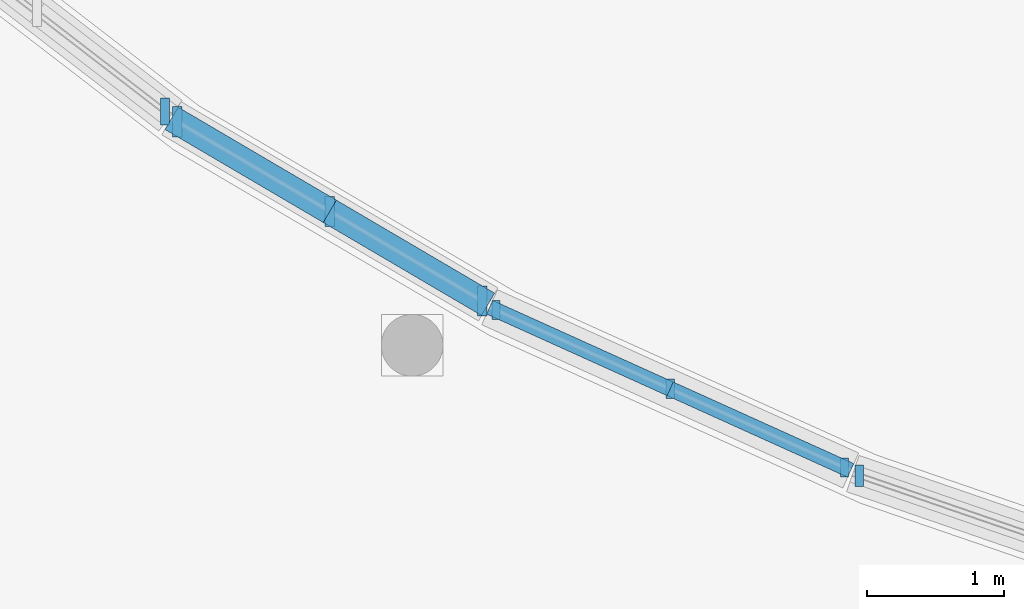
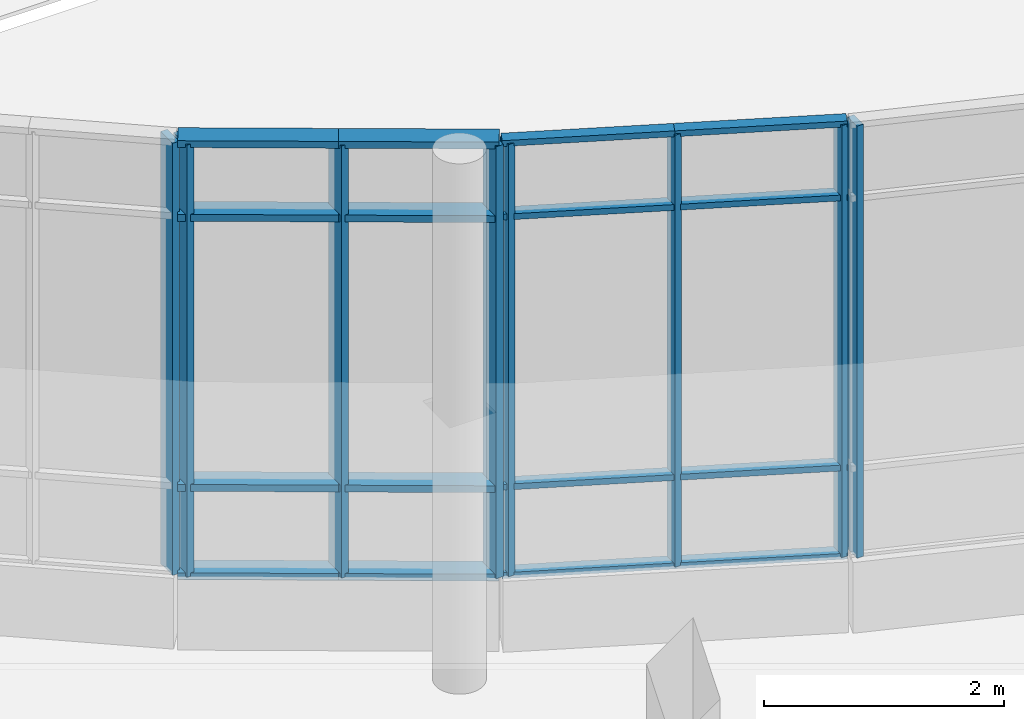
# One storey, part 11 of 84: 24 members, 4 elements without a shape of their own.
"""IFC4 building model written with IfcOpenShell, lengths in metres."""

from ifc_helpers import new_model, si_unit, direction, frame, origin, origin_2d, place, context, subcontext, project, spatial, rectangle, extrude, material, material_profile, profile_set, type_object, element, aggregate, save


model = new_model("IFC4")

# Units and contexts
model_context = context("Model", 3, precision=1e-05, world=origin(), true_north=direction((0.0, 1.0)))
body_context = subcontext(model_context, "Body", "Model", "MODEL_VIEW")
ifc_project = project(units=[si_unit("LENGTHUNIT", "METRE"), si_unit("AREAUNIT", "SQUARE_METRE"), si_unit("VOLUMEUNIT", "CUBIC_METRE"), si_unit("PLANEANGLEUNIT", "RADIAN"), si_unit("MASSUNIT", "GRAM", prefix="KILO")], contexts=[model_context])

# Site, building, storey
site_placement = place(None, origin())
site = spatial("IfcSite", under=ifc_project, at=site_placement, CompositionType="ELEMENT")
building_placement = place(site_placement, origin())
building = spatial("IfcBuilding", under=site, at=building_placement, Name="Mzevani Central Library", CompositionType="ELEMENT")
storey_placement = place(building_placement, origin())
storey = spatial("IfcBuildingStorey", under=building, at=storey_placement, Name="L00", CompositionType="ELEMENT", Elevation=0.0)

# Curtain wall, members
ifc_material_1 = material(Name="Thermally broken aluminium and Low-E triple glazing", Category="aluminium")
curtain_wall_type_1 = type_object("IfcCurtainWallType", Name="Reading Hall Northlight Curtain Wall", PredefinedType="NOTDEFINED", material=ifc_material_1)
curtain_wall_1_placement = place(storey_placement, origin())
curtain_wall_1 = element("IfcCurtainWall", 1, at=curtain_wall_1_placement, inside=storey, type_object=curtain_wall_type_1, Name="L00 Elliptical Court Curtain Wall 31", PredefinedType="NOTDEFINED")
ifc_material_2 = material(Name="Thermally broken aluminium AW-6060", Category="aluminium")
ifc_material_profile_1 = material_profile(ifc_material_2, rectangle(XDim=0.06005859375, YDim=0.139892578125, at=origin_2d()), Name="ALU M60x140")
ifc_profile_set_1 = profile_set([ifc_material_profile_1], Name="Thermally broken aluminium AW-6060")
member_type_1 = type_object("IfcMemberType", Name="CW Mullion 60x140", PredefinedType="MULLION", material=ifc_profile_set_1)
member_1_placement = place(storey_placement, frame((64.905517578125, 66.101318359375, 0.719970703125), z_axis=(0.0, 0.0, 1.0), x_axis=(1.0, 0.0, 0.0)))
member_1 = element("IfcMember", 2, at=member_1_placement, type_object=member_type_1, Name="L00 Elliptical Court Curtain Wall 31 Mullion 1", PredefinedType="MULLION", context=body_context, shape_type="SweptSolid", body=[
    extrude(rectangle(XDim=0.06005859375, YDim=0.139892578125, at=origin_2d()), origin(), (0.0, 0.0, 1.0), 4.400146484375),
])
member_2_placement = place(storey_placement, frame((66.177734375, 65.526123046875, 0.719970703125), z_axis=(0.0, 0.0, 1.0), x_axis=(1.0, 0.0, 0.0)))
member_2 = element("IfcMember", 3, at=member_2_placement, type_object=member_type_1, Name="L00 Elliptical Court Curtain Wall 31 Mullion 2", PredefinedType="MULLION", context=body_context, shape_type="SweptSolid", body=[
    extrude(rectangle(XDim=0.06005859375, YDim=0.139892578125, at=origin_2d()), origin(), (0.0, 0.0, 1.0), 4.400146484375),
])
member_3_placement = place(storey_placement, frame((67.449951171875, 64.951171875, 0.719970703125), z_axis=(0.0, 0.0, 1.0), x_axis=(1.0, 0.0, 0.0)))
member_3 = element("IfcMember", 4, at=member_3_placement, type_object=member_type_1, Name="L00 Elliptical Court Curtain Wall 31 Mullion 3", PredefinedType="MULLION", context=body_context, shape_type="SweptSolid", body=[
    extrude(rectangle(XDim=0.06005859375, YDim=0.139892578125, at=origin_2d()), origin(), (0.0, 0.0, 1.0), 4.400146484375),
])

# Curtain wall, member
curtain_wall_type_2 = type_object("IfcCurtainWallType", Name="Elliptical Court Unitised Curtain Wall", PredefinedType="NOTDEFINED", material=ifc_material_1)
curtain_wall_2_placement = place(storey_placement, origin())
curtain_wall_2 = element("IfcCurtainWall", 5, at=curtain_wall_2_placement, inside=storey, type_object=curtain_wall_type_2, Name="L00 Elliptical Court Curtain Wall 32", PredefinedType="NOTDEFINED")
ifc_material_profile_2 = material_profile(ifc_material_2, rectangle(XDim=0.06005859375, YDim=0.159912109375, at=origin_2d()), Name="ALU M60x160")
ifc_profile_set_2 = profile_set([ifc_material_profile_2], Name="Thermally broken aluminium AW-6060")
member_type_2 = type_object("IfcMemberType", Name="CW Mullion 60x160", PredefinedType="MULLION", material=ifc_profile_set_2)
member_4_placement = place(storey_placement, frame((67.558349609375, 64.891357421875, 0.719970703125), z_axis=(0.0, 0.0, 1.0), x_axis=(1.0, 0.0, 0.0)))
member_4 = element("IfcMember", 6, at=member_4_placement, type_object=member_type_2, Name="L00 Elliptical Court Curtain Wall 32 Mullion 1", PredefinedType="MULLION", context=body_context, shape_type="SweptSolid", body=[
    extrude(rectangle(XDim=0.06005859375, YDim=0.159912109375, at=origin_2d()), origin(), (0.0, 0.0, 1.0), 4.400146484375),
])
aggregate(curtain_wall_2, [member_4])

curtain_wall_3_placement = place(storey_placement, origin())
curtain_wall_3 = element("IfcCurtainWall", 7, at=curtain_wall_3_placement, inside=storey, type_object=curtain_wall_type_2, Name="L00 Elliptical Court Curtain Wall 29", PredefinedType="NOTDEFINED")
ifc_material_profile_3 = material_profile(ifc_material_2, rectangle(XDim=0.06494140625, YDim=0.199951171875, at=origin_2d()), Name="ALU M65x200")
ifc_profile_set_3 = profile_set([ifc_material_profile_3], Name="Thermally broken aluminium AW-6060")
member_type_3 = type_object("IfcMemberType", Name="CW Mullion 65x200", PredefinedType="MULLION", material=ifc_profile_set_3)
member_5_placement = place(storey_placement, frame((62.490478515625, 67.550537109375, 0.719970703125), z_axis=(0.0, 0.0, 1.0), x_axis=(1.0, 0.0, 0.0)))
member_5 = element("IfcMember", 8, at=member_5_placement, type_object=member_type_3, Name="L00 Elliptical Court Curtain Wall 29 Mullion 3", PredefinedType="MULLION", context=body_context, shape_type="SweptSolid", body=[
    extrude(rectangle(XDim=0.06494140625, YDim=0.199951171875, at=origin_2d()), origin(), (0.0, 0.0, 1.0), 4.400146484375),
])
aggregate(curtain_wall_3, [member_5])

# Curtain wall, members
curtain_wall_4_placement = place(storey_placement, origin())
curtain_wall_4 = element("IfcCurtainWall", 9, at=curtain_wall_4_placement, inside=storey, type_object=curtain_wall_type_2, Name="L00 Elliptical Court Curtain Wall 30", PredefinedType="NOTDEFINED")
ifc_material_profile_4 = material_profile(ifc_material_2, rectangle(XDim=0.070068359375, YDim=0.219970703125, at=origin_2d()), Name="ALU M70x220")
ifc_profile_set_4 = profile_set([ifc_material_profile_4], Name="Thermally broken aluminium AW-6060")
member_type_4 = type_object("IfcMemberType", Name="CW Mullion 70x220", PredefinedType="MULLION", material=ifc_profile_set_4)
member_6_placement = place(storey_placement, frame((62.580810546875, 67.4755859375, 0.719970703125), z_axis=(0.0, 0.0, 1.0), x_axis=(1.0, 0.0, 0.0)))
member_6 = element("IfcMember", 10, at=member_6_placement, type_object=member_type_4, Name="L00 Elliptical Court Curtain Wall 30 Mullion 1", PredefinedType="MULLION", context=body_context, shape_type="SweptSolid", body=[
    extrude(rectangle(XDim=0.070068359375, YDim=0.219970703125, at=origin_2d()), origin(), (0.0, 0.0, 1.0), 4.400146484375),
])
member_7_placement = place(storey_placement, frame((63.693359375, 66.82177734375, 0.719970703125), z_axis=(0.0, 0.0, 1.0), x_axis=(1.0, 0.0, 0.0)))
member_7 = element("IfcMember", 11, at=member_7_placement, type_object=member_type_4, Name="L00 Elliptical Court Curtain Wall 30 Mullion 2", PredefinedType="MULLION", context=body_context, shape_type="SweptSolid", body=[
    extrude(rectangle(XDim=0.070068359375, YDim=0.219970703125, at=origin_2d()), origin(), (0.0, 0.0, 1.0), 4.400146484375),
])
member_8_placement = place(storey_placement, frame((64.805908203125, 66.16796875, 0.719970703125), z_axis=(0.0, 0.0, 1.0), x_axis=(1.0, 0.0, 0.0)))
member_8 = element("IfcMember", 12, at=member_8_placement, type_object=member_type_4, Name="L00 Elliptical Court Curtain Wall 30 Mullion 3", PredefinedType="MULLION", context=body_context, shape_type="SweptSolid", body=[
    extrude(rectangle(XDim=0.070068359375, YDim=0.219970703125, at=origin_2d()), origin(), (0.0, 0.0, 1.0), 4.400146484375),
])

# Member
ifc_material_profile_5 = material_profile(ifc_material_2, rectangle(XDim=0.110107421875, YDim=0.06005859375, at=origin_2d()), Name="ALU T60x110")
ifc_profile_set_5 = profile_set([ifc_material_profile_5], Name="Thermally broken aluminium AW-6060")
member_type_5 = type_object("IfcMemberType", Name="CW Transom 60x110", PredefinedType="USERDEFINED", material=ifc_profile_set_5)
member_9_placement = place(storey_placement, frame((64.85986328125, 66.121826171875, 0.719970703125), z_axis=(0.911231648639, -0.411894261333, 0.0), x_axis=(0.411894261333, 0.911231648639, 0.0)))
member_9 = element("IfcMember", 13, at=member_9_placement, type_object=member_type_5, Name="L00 Elliptical Court Curtain Wall 31 Transom 1", ObjectType="TRANSOM", PredefinedType="USERDEFINED", context=body_context, shape_type="SweptSolid", body=[
    extrude(rectangle(XDim=0.110107421875, YDim=0.06005859375, at=origin_2d()), origin(), (0.0, 0.0, 1.0), 1.4462890625),
])

member_10_placement = place(storey_placement, frame((64.85986328125, 66.121826171875, 1.6201171875), z_axis=(0.911231648639, -0.411894261333, 0.0), x_axis=(0.411894261333, 0.911231648639, 0.0)))
member_10 = element("IfcMember", 14, at=member_10_placement, type_object=member_type_5, Name="L00 Elliptical Court Curtain Wall 31 Transom 2", ObjectType="TRANSOM", PredefinedType="USERDEFINED", context=body_context, shape_type="SweptSolid", body=[
    extrude(rectangle(XDim=0.110107421875, YDim=0.06005859375, at=origin_2d()), origin(), (0.0, 0.0, 1.0), 1.4462890625),
])

member_11_placement = place(storey_placement, frame((64.85986328125, 66.121826171875, 4.3701171875), z_axis=(0.911231648639, -0.411894261333, 0.0), x_axis=(0.411894261333, 0.911231648639, 0.0)))
member_11 = element("IfcMember", 15, at=member_11_placement, type_object=member_type_5, Name="L00 Elliptical Court Curtain Wall 31 Transom 3", ObjectType="TRANSOM", PredefinedType="USERDEFINED", context=body_context, shape_type="SweptSolid", body=[
    extrude(rectangle(XDim=0.110107421875, YDim=0.06005859375, at=origin_2d()), origin(), (0.0, 0.0, 1.0), 1.4462890625),
])

member_12_placement = place(storey_placement, frame((64.85986328125, 66.121826171875, 5.1201171875), z_axis=(0.911231648639, -0.411894261333, 0.0), x_axis=(0.411894261333, 0.911231648639, 0.0)))
member_12 = element("IfcMember", 16, at=member_12_placement, type_object=member_type_5, Name="L00 Elliptical Court Curtain Wall 31 Transom 4", ObjectType="TRANSOM", PredefinedType="USERDEFINED", context=body_context, shape_type="SweptSolid", body=[
    extrude(rectangle(XDim=0.110107421875, YDim=0.06005859375, at=origin_2d()), origin(), (0.0, 0.0, 1.0), 1.4462890625),
])

member_13_placement = place(storey_placement, frame((66.177734375, 65.526123046875, 0.719970703125), z_axis=(0.911231648639, -0.411894261333, 0.0), x_axis=(0.411894261333, 0.911231648639, 0.0)))
member_13 = element("IfcMember", 17, at=member_13_placement, type_object=member_type_5, Name="L00 Elliptical Court Curtain Wall 31 Transom 5", ObjectType="TRANSOM", PredefinedType="USERDEFINED", context=body_context, shape_type="SweptSolid", body=[
    extrude(rectangle(XDim=0.110107421875, YDim=0.06005859375, at=origin_2d()), origin(), (0.0, 0.0, 1.0), 1.4462890625),
])

member_14_placement = place(storey_placement, frame((66.177734375, 65.526123046875, 1.6201171875), z_axis=(0.911231648639, -0.411894261333, 0.0), x_axis=(0.411894261333, 0.911231648639, 0.0)))
member_14 = element("IfcMember", 18, at=member_14_placement, type_object=member_type_5, Name="L00 Elliptical Court Curtain Wall 31 Transom 6", ObjectType="TRANSOM", PredefinedType="USERDEFINED", context=body_context, shape_type="SweptSolid", body=[
    extrude(rectangle(XDim=0.110107421875, YDim=0.06005859375, at=origin_2d()), origin(), (0.0, 0.0, 1.0), 1.4462890625),
])

member_15_placement = place(storey_placement, frame((66.177734375, 65.526123046875, 4.3701171875), z_axis=(0.911231648639, -0.411894261333, 0.0), x_axis=(0.411894261333, 0.911231648639, 0.0)))
member_15 = element("IfcMember", 19, at=member_15_placement, type_object=member_type_5, Name="L00 Elliptical Court Curtain Wall 31 Transom 7", ObjectType="TRANSOM", PredefinedType="USERDEFINED", context=body_context, shape_type="SweptSolid", body=[
    extrude(rectangle(XDim=0.110107421875, YDim=0.06005859375, at=origin_2d()), origin(), (0.0, 0.0, 1.0), 1.4462890625),
])

member_16_placement = place(storey_placement, frame((66.177734375, 65.526123046875, 5.1201171875), z_axis=(0.911231648639, -0.411894261333, 0.0), x_axis=(0.411894261333, 0.911231648639, 0.0)))
member_16 = element("IfcMember", 20, at=member_16_placement, type_object=member_type_5, Name="L00 Elliptical Court Curtain Wall 31 Transom 8", ObjectType="TRANSOM", PredefinedType="USERDEFINED", context=body_context, shape_type="SweptSolid", body=[
    extrude(rectangle(XDim=0.110107421875, YDim=0.06005859375, at=origin_2d()), origin(), (0.0, 0.0, 1.0), 1.4462890625),
])

aggregate(curtain_wall_1, [member_1, member_2, member_3, member_9, member_10, member_11, member_12, member_13, member_14, member_15, member_16])

ifc_material_profile_6 = material_profile(ifc_material_2, rectangle(XDim=0.18994140625, YDim=0.070068359375, at=origin_2d()), Name="ALU T70x190")
ifc_profile_set_6 = profile_set([ifc_material_profile_6], Name="Thermally broken aluminium AW-6060")
member_type_6 = type_object("IfcMemberType", Name="CW Transom 70x190", PredefinedType="USERDEFINED", material=ifc_profile_set_6)
member_17_placement = place(storey_placement, frame((62.53759765625, 67.5009765625, 0.719970703125), z_axis=(0.862149496171, -0.506653970923, 0.0), x_axis=(0.506653970923, 0.862149496171, 0.0)))
member_17 = element("IfcMember", 21, at=member_17_placement, type_object=member_type_6, Name="L00 Elliptical Court Curtain Wall 30 Transom 1", ObjectType="TRANSOM", PredefinedType="USERDEFINED", context=body_context, shape_type="SweptSolid", body=[
    extrude(rectangle(XDim=0.18994140625, YDim=0.070068359375, at=origin_2d()), origin(), (0.0, 0.0, 1.0), 1.340576171875),
])

member_18_placement = place(storey_placement, frame((62.53759765625, 67.5009765625, 1.6201171875), z_axis=(0.862149496171, -0.506653970923, 0.0), x_axis=(0.506653970923, 0.862149496171, 0.0)))
member_18 = element("IfcMember", 22, at=member_18_placement, type_object=member_type_6, Name="L00 Elliptical Court Curtain Wall 30 Transom 2", ObjectType="TRANSOM", PredefinedType="USERDEFINED", context=body_context, shape_type="SweptSolid", body=[
    extrude(rectangle(XDim=0.18994140625, YDim=0.070068359375, at=origin_2d()), origin(), (0.0, 0.0, 1.0), 1.340576171875),
])

member_19_placement = place(storey_placement, frame((62.53759765625, 67.5009765625, 4.3701171875), z_axis=(0.862149496171, -0.506653970923, 0.0), x_axis=(0.506653970923, 0.862149496171, 0.0)))
member_19 = element("IfcMember", 23, at=member_19_placement, type_object=member_type_6, Name="L00 Elliptical Court Curtain Wall 30 Transom 3", ObjectType="TRANSOM", PredefinedType="USERDEFINED", context=body_context, shape_type="SweptSolid", body=[
    extrude(rectangle(XDim=0.18994140625, YDim=0.070068359375, at=origin_2d()), origin(), (0.0, 0.0, 1.0), 1.340576171875),
])

member_20_placement = place(storey_placement, frame((62.53759765625, 67.5009765625, 5.1201171875), z_axis=(0.862149496171, -0.506653970923, 0.0), x_axis=(0.506653970923, 0.862149496171, 0.0)))
member_20 = element("IfcMember", 24, at=member_20_placement, type_object=member_type_6, Name="L00 Elliptical Court Curtain Wall 30 Transom 4", ObjectType="TRANSOM", PredefinedType="USERDEFINED", context=body_context, shape_type="SweptSolid", body=[
    extrude(rectangle(XDim=0.18994140625, YDim=0.070068359375, at=origin_2d()), origin(), (0.0, 0.0, 1.0), 1.340576171875),
])

member_21_placement = place(storey_placement, frame((63.693359375, 66.82177734375, 0.719970703125), z_axis=(0.862149496171, -0.506653970923, 0.0), x_axis=(0.506653970923, 0.862149496171, 0.0)))
member_21 = element("IfcMember", 25, at=member_21_placement, type_object=member_type_6, Name="L00 Elliptical Court Curtain Wall 30 Transom 5", ObjectType="TRANSOM", PredefinedType="USERDEFINED", context=body_context, shape_type="SweptSolid", body=[
    extrude(rectangle(XDim=0.18994140625, YDim=0.070068359375, at=origin_2d()), origin(), (0.0, 0.0, 1.0), 1.340576171875),
])

member_22_placement = place(storey_placement, frame((63.693359375, 66.82177734375, 1.6201171875), z_axis=(0.862149496171, -0.506653970923, 0.0), x_axis=(0.506653970923, 0.862149496171, 0.0)))
member_22 = element("IfcMember", 26, at=member_22_placement, type_object=member_type_6, Name="L00 Elliptical Court Curtain Wall 30 Transom 6", ObjectType="TRANSOM", PredefinedType="USERDEFINED", context=body_context, shape_type="SweptSolid", body=[
    extrude(rectangle(XDim=0.18994140625, YDim=0.070068359375, at=origin_2d()), origin(), (0.0, 0.0, 1.0), 1.340576171875),
])

member_23_placement = place(storey_placement, frame((63.693359375, 66.82177734375, 4.3701171875), z_axis=(0.862149496171, -0.506653970923, 0.0), x_axis=(0.506653970923, 0.862149496171, 0.0)))
member_23 = element("IfcMember", 27, at=member_23_placement, type_object=member_type_6, Name="L00 Elliptical Court Curtain Wall 30 Transom 7", ObjectType="TRANSOM", PredefinedType="USERDEFINED", context=body_context, shape_type="SweptSolid", body=[
    extrude(rectangle(XDim=0.18994140625, YDim=0.070068359375, at=origin_2d()), origin(), (0.0, 0.0, 1.0), 1.340576171875),
])

member_24_placement = place(storey_placement, frame((63.693359375, 66.82177734375, 5.1201171875), z_axis=(0.862149496171, -0.506653970923, 0.0), x_axis=(0.506653970923, 0.862149496171, 0.0)))
member_24 = element("IfcMember", 28, at=member_24_placement, type_object=member_type_6, Name="L00 Elliptical Court Curtain Wall 30 Transom 8", ObjectType="TRANSOM", PredefinedType="USERDEFINED", context=body_context, shape_type="SweptSolid", body=[
    extrude(rectangle(XDim=0.18994140625, YDim=0.070068359375, at=origin_2d()), origin(), (0.0, 0.0, 1.0), 1.340576171875),
])

aggregate(curtain_wall_4, [member_6, member_7, member_8, member_17, member_18, member_19, member_20, member_21, member_22, member_23, member_24])

save(model, "model.ifc")
